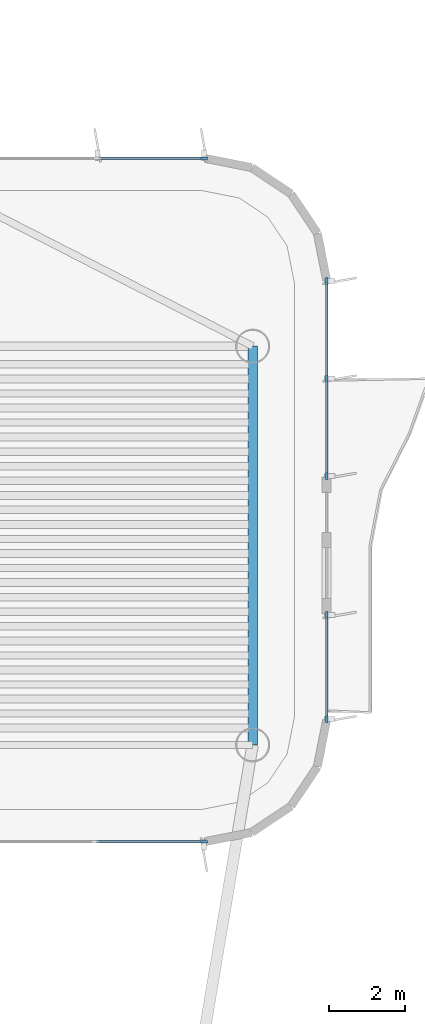
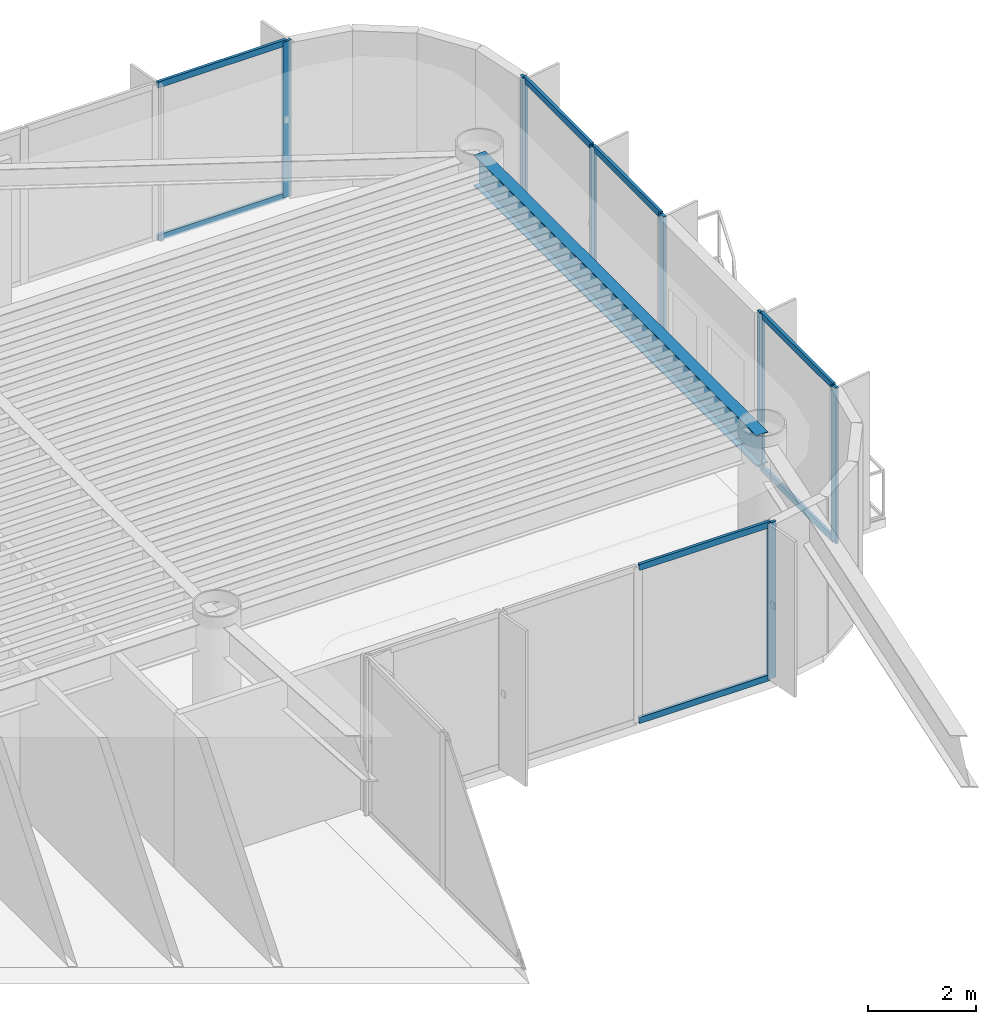
# One storey, part 8 of 14: 17 members, 1 beam, 4 elements without a shape of their own.
"""IFC4 building model written with IfcOpenShell, lengths in metres."""

from ifc_helpers import new_model, si_unit, direction, frame, origin, origin_2d, place, context, subcontext, project, spatial, rectangle, i_section, extrude, source, transform, mapped, material, layer, layer_set, material_profile, profile_set, type_object, element, aggregate, save


model = new_model("IFC4")

# Units and contexts
model_context = context("Model", 3, precision=1e-05, world=origin(), true_north=direction((0.0, 1.0)))
body_context = subcontext(model_context, "Body", "Model", "MODEL_VIEW")
ifc_project = project(units=[si_unit("LENGTHUNIT", "METRE"), si_unit("AREAUNIT", "SQUARE_METRE"), si_unit("VOLUMEUNIT", "CUBIC_METRE"), si_unit("PLANEANGLEUNIT", "RADIAN"), si_unit("MASSUNIT", "GRAM", prefix="KILO")], contexts=[model_context])

# Site, building, storey
site_placement = place(None, origin())
site = spatial("IfcSite", under=ifc_project, at=site_placement, CompositionType="ELEMENT")
building_placement = place(site_placement, origin())
building = spatial("IfcBuilding", under=site, at=building_placement, Name="Brelvock Crest Care Tower", CompositionType="ELEMENT")
storey_placement = place(building_placement, frame((0.0, 0.0, 257.0400390625)))
storey = spatial("IfcBuildingStorey", under=building, at=storey_placement, Name="L65", CompositionType="ELEMENT", Elevation=257.0400390625)

# Beam
ifc_material_1 = material(Name="Steel Grade 350", Category="steel")
ifc_material_profile_1 = material_profile(ifc_material_1, i_section(OverallWidth=0.25, OverallDepth=0.699951171875, WebThickness=0.011962890625, FlangeThickness=0.02001953125, at=origin_2d()), Name="700WB150")
ifc_profile_set_1 = profile_set([ifc_material_profile_1], Name="Steel Grade 350")
beam_type = type_object("IfcBeamType", Name="BM-G4", PredefinedType="BEAM", material=ifc_profile_set_1)
shared_shape_1 = source(origin(), body_context, "Body", "SweptSolid", [
    extrude(i_section(OverallWidth=0.25, OverallDepth=0.699951171875, WebThickness=0.011962890625, FlangeThickness=0.02001953125, at=origin_2d()), origin(), (0.0, 0.0, 1.0), 10.5),
])
beam_placement = place(storey_placement, frame((52.35009765625, 43.949951171875, 3.179931640625), z_axis=(0.0, 1.0, 0.0), x_axis=(-1.0, 0.0, 0.0)))
element("IfcBeam", 1, at=beam_placement, inside=storey, type_object=beam_type, Name="BM-TWR-L65-02", PredefinedType="BEAM", context=body_context, shape_type="MappedRepresentation", body=[
    mapped(shared_shape_1, transform((0.0, 0.0, 0.0), x_axis=(1.0, 0.0, 0.0), y_axis=(0.0, 1.0, 0.0), z_axis=(0.0, 0.0, 1.0), scale=1.0)),
])

# Curtain wall, member
ifc_material_2 = material(Name="Dark Glass Double Glazed Low-E", Category="glass")
ifc_layer = layer(ifc_material_2, 0.239990234375, Name="CWS-5")
ifc_layer_set = layer_set([ifc_layer], Name="Dark Glass Double Glazed Low-E")
curtain_wall_type = type_object("IfcCurtainWallType", Name="CWS-5", PredefinedType="NOTDEFINED", material=ifc_layer_set)
curtain_wall_1_placement = place(storey_placement, origin())
curtain_wall_1 = element("IfcCurtainWall", 2, at=curtain_wall_1_placement, inside=storey, type_object=curtain_wall_type, Name="L65 Curtain Wall E34", PredefinedType="NOTDEFINED")
ifc_material_3 = material(Name="Aluminium 6063-T6", Category="aluminium")
ifc_material_profile_2 = material_profile(ifc_material_3, rectangle(XDim=0.06005859375, YDim=0.179931640625, at=origin_2d()), Name="ALU60x180")
ifc_profile_set_2 = profile_set([ifc_material_profile_2], Name="Aluminium 6063-T6")
member_type_1 = type_object("IfcMemberType", Name="CWM-2", PredefinedType="MULLION", material=ifc_profile_set_2)
shared_shape_2 = source(origin(), body_context, "Body", "SweptSolid", [
    extrude(rectangle(XDim=0.06005859375, YDim=0.179931640625, at=origin_2d()), origin(), (0.0, 0.0, 1.0), 3.530029296875),
])
member_1_placement = place(storey_placement, frame((51.070068359375, 59.39990234375, 0.0), z_axis=(0.0, 0.0, 1.0), x_axis=(0.0, 1.0, 0.0)))
member_1 = element("IfcMember", 3, at=member_1_placement, type_object=member_type_1, Name="CW-5 mullion 4", PredefinedType="MULLION", context=body_context, shape_type="MappedRepresentation", body=[
    mapped(shared_shape_2, transform((0.0, 0.0, 0.0), x_axis=(1.0, 0.0, 0.0), y_axis=(0.0, 1.0, 0.0), z_axis=(0.0, 0.0, 1.0), scale=1.0)),
])

# Curtain wall, members
curtain_wall_2_placement = place(storey_placement, origin())
curtain_wall_2 = element("IfcCurtainWall", 4, at=curtain_wall_2_placement, inside=storey, type_object=curtain_wall_type, Name="L65 Curtain Wall E39A", PredefinedType="NOTDEFINED")
member_2_placement = place(storey_placement, frame((54.300048828125, 56.169921875, 0.0), z_axis=(0.0, 0.0, 1.0), x_axis=(1.0, 0.0, 0.0)))
member_2 = element("IfcMember", 5, at=member_2_placement, type_object=member_type_1, Name="CW-5 mullion 1", PredefinedType="MULLION", context=body_context, shape_type="MappedRepresentation", body=[
    mapped(shared_shape_2, transform((0.0, 0.0, 0.0), x_axis=(1.0, 0.0, 0.0), y_axis=(0.0, 1.0, 0.0), z_axis=(0.0, 0.0, 1.0), scale=1.0)),
])
member_3_placement = place(storey_placement, frame((54.300048828125, 53.60009765625, 0.0), z_axis=(0.0, 0.0, 1.0), x_axis=(1.0, 0.0, 0.0)))
member_3 = element("IfcMember", 6, at=member_3_placement, type_object=member_type_1, Name="CW-5 mullion 2", PredefinedType="MULLION", context=body_context, shape_type="MappedRepresentation", body=[
    mapped(shared_shape_2, transform((0.0, 0.0, 0.0), x_axis=(1.0, 0.0, 0.0), y_axis=(0.0, 1.0, 0.0), z_axis=(0.0, 0.0, 1.0), scale=1.0)),
])
member_4_placement = place(storey_placement, frame((54.300048828125, 51.030029296875, 0.0), z_axis=(0.0, 0.0, 1.0), x_axis=(1.0, 0.0, 0.0)))
member_4 = element("IfcMember", 7, at=member_4_placement, type_object=member_type_1, Name="CW-5 mullion 3", PredefinedType="MULLION", context=body_context, shape_type="MappedRepresentation", body=[
    mapped(shared_shape_2, transform((0.0, 0.0, 0.0), x_axis=(1.0, 0.0, 0.0), y_axis=(0.0, 1.0, 0.0), z_axis=(0.0, 0.0, 1.0), scale=1.0)),
])

curtain_wall_3_placement = place(storey_placement, origin())
curtain_wall_3 = element("IfcCurtainWall", 8, at=curtain_wall_3_placement, inside=storey, type_object=curtain_wall_type, Name="L65 Curtain Wall E39B", PredefinedType="NOTDEFINED")
member_5_placement = place(storey_placement, frame((54.300048828125, 47.3701171875, 0.0), z_axis=(0.0, 0.0, 1.0), x_axis=(1.0, 0.0, 0.0)))
member_5 = element("IfcMember", 9, at=member_5_placement, type_object=member_type_1, Name="CW-5 mullion 1", PredefinedType="MULLION", context=body_context, shape_type="MappedRepresentation", body=[
    mapped(shared_shape_2, transform((0.0, 0.0, 0.0), x_axis=(1.0, 0.0, 0.0), y_axis=(0.0, 1.0, 0.0), z_axis=(0.0, 0.0, 1.0), scale=1.0)),
])
member_6_placement = place(storey_placement, frame((54.300048828125, 44.6298828125, 0.0), z_axis=(0.0, 0.0, 1.0), x_axis=(1.0, 0.0, 0.0)))
member_6 = element("IfcMember", 10, at=member_6_placement, type_object=member_type_1, Name="CW-5 mullion 2", PredefinedType="MULLION", context=body_context, shape_type="MappedRepresentation", body=[
    mapped(shared_shape_2, transform((0.0, 0.0, 0.0), x_axis=(1.0, 0.0, 0.0), y_axis=(0.0, 1.0, 0.0), z_axis=(0.0, 0.0, 1.0), scale=1.0)),
])

# Curtain wall, member
curtain_wall_4_placement = place(storey_placement, origin())
curtain_wall_4 = element("IfcCurtainWall", 11, at=curtain_wall_4_placement, inside=storey, type_object=curtain_wall_type, Name="L65 Curtain Wall E44", PredefinedType="NOTDEFINED")
member_7_placement = place(storey_placement, frame((51.070068359375, 41.39990234375, 0.0), z_axis=(0.0, 0.0, 1.0), x_axis=(0.0, -1.0, 0.0)))
member_7 = element("IfcMember", 12, at=member_7_placement, type_object=member_type_1, Name="CW-5 mullion 1", PredefinedType="MULLION", context=body_context, shape_type="MappedRepresentation", body=[
    mapped(shared_shape_2, transform((0.0, 0.0, 0.0), x_axis=(1.0, 0.0, 0.0), y_axis=(0.0, 1.0, 0.0), z_axis=(0.0, 0.0, 1.0), scale=1.0)),
])

# Member
ifc_material_profile_3 = material_profile(ifc_material_3, rectangle(XDim=0.06005859375, YDim=0.139892578125, at=origin_2d()), Name="ALU60x140")
ifc_profile_set_3 = profile_set([ifc_material_profile_3], Name="Aluminium 6063-T6")
member_type_2 = type_object("IfcMemberType", Name="CWT-2", PredefinedType="USERDEFINED", material=ifc_profile_set_3)
shared_shape_3 = source(origin(), body_context, "Body", "SweptSolid", [
    extrude(rectangle(XDim=0.06005859375, YDim=0.139892578125, at=origin_2d()), origin(), (0.0, 0.0, 1.0), 2.510009765625),
])
member_8_placement = place(storey_placement, frame((54.300048828125, 56.139892578125, 0.030029296875), z_axis=(0.0, -1.0, 0.0), x_axis=(1.0, 0.0, 0.0)))
member_8 = element("IfcMember", 13, at=member_8_placement, type_object=member_type_2, Name="CW-5 transom 1.1", ObjectType="TRANSOM", PredefinedType="USERDEFINED", context=body_context, shape_type="MappedRepresentation", body=[
    mapped(shared_shape_3, transform((0.0, 0.0, 0.0), x_axis=(1.0, 0.0, 0.0), y_axis=(0.0, 1.0, 0.0), z_axis=(0.0, 0.0, 1.0), scale=1.0)),
])

member_9_placement = place(storey_placement, frame((54.300048828125, 56.139892578125, 3.5), z_axis=(0.0, -1.0, 0.0), x_axis=(1.0, 0.0, 0.0)))
member_9 = element("IfcMember", 14, at=member_9_placement, type_object=member_type_2, Name="CW-5 transom 1.2", ObjectType="TRANSOM", PredefinedType="USERDEFINED", context=body_context, shape_type="MappedRepresentation", body=[
    mapped(shared_shape_3, transform((0.0, 0.0, 0.0), x_axis=(1.0, 0.0, 0.0), y_axis=(0.0, 1.0, 0.0), z_axis=(0.0, 0.0, 1.0), scale=1.0)),
])

member_10_placement = place(storey_placement, frame((54.300048828125, 53.570068359375, 0.030029296875), z_axis=(0.0, -1.0, 0.0), x_axis=(1.0, 0.0, 0.0)))
member_10 = element("IfcMember", 15, at=member_10_placement, type_object=member_type_2, Name="CW-5 transom 2.1", ObjectType="TRANSOM", PredefinedType="USERDEFINED", context=body_context, shape_type="MappedRepresentation", body=[
    mapped(shared_shape_3, transform((0.0, 0.0, 0.0), x_axis=(1.0, 0.0, 0.0), y_axis=(0.0, 1.0, 0.0), z_axis=(0.0, 0.0, 1.0), scale=1.0)),
])

member_11_placement = place(storey_placement, frame((54.300048828125, 53.570068359375, 3.5), z_axis=(0.0, -1.0, 0.0), x_axis=(1.0, 0.0, 0.0)))
member_11 = element("IfcMember", 16, at=member_11_placement, type_object=member_type_2, Name="CW-5 transom 2.2", ObjectType="TRANSOM", PredefinedType="USERDEFINED", context=body_context, shape_type="MappedRepresentation", body=[
    mapped(shared_shape_3, transform((0.0, 0.0, 0.0), x_axis=(1.0, 0.0, 0.0), y_axis=(0.0, 1.0, 0.0), z_axis=(0.0, 0.0, 1.0), scale=1.0)),
])

aggregate(curtain_wall_2, [member_2, member_3, member_4, member_8, member_9, member_10, member_11])

shared_shape_4 = source(origin(), body_context, "Body", "SweptSolid", [
    extrude(rectangle(XDim=0.06005859375, YDim=0.139892578125, at=origin_2d()), origin(), (0.0, 0.0, 1.0), 2.81005859375),
])
member_12_placement = place(storey_placement, frame((51.0400390625, 41.39990234375, 0.030029296875), z_axis=(-1.0, 0.0, 0.0), x_axis=(0.0, -1.0, 0.0)))
member_12 = element("IfcMember", 17, at=member_12_placement, type_object=member_type_2, Name="CW-5 transom 1.1", ObjectType="TRANSOM", PredefinedType="USERDEFINED", context=body_context, shape_type="MappedRepresentation", body=[
    mapped(shared_shape_4, transform((0.0, 0.0, 0.0), x_axis=(1.0, 0.0, 0.0), y_axis=(0.0, 1.0, 0.0), z_axis=(0.0, 0.0, 1.0), scale=1.0)),
])

member_13_placement = place(storey_placement, frame((51.0400390625, 41.39990234375, 3.5), z_axis=(-1.0, 0.0, 0.0), x_axis=(0.0, -1.0, 0.0)))
member_13 = element("IfcMember", 18, at=member_13_placement, type_object=member_type_2, Name="CW-5 transom 1.2", ObjectType="TRANSOM", PredefinedType="USERDEFINED", context=body_context, shape_type="MappedRepresentation", body=[
    mapped(shared_shape_4, transform((0.0, 0.0, 0.0), x_axis=(1.0, 0.0, 0.0), y_axis=(0.0, 1.0, 0.0), z_axis=(0.0, 0.0, 1.0), scale=1.0)),
])

aggregate(curtain_wall_4, [member_7, member_12, member_13])

shared_shape_5 = source(origin(), body_context, "Body", "SweptSolid", [
    extrude(rectangle(XDim=0.06005859375, YDim=0.139892578125, at=origin_2d()), origin(), (0.0, 0.0, 1.0), 2.743408203125),
])
member_14_placement = place(storey_placement, frame((48.296630859375, 59.39990234375, 0.030029296875), z_axis=(1.0, 0.0, 0.0), x_axis=(0.0, 1.0, 0.0)))
member_14 = element("IfcMember", 19, at=member_14_placement, type_object=member_type_2, Name="CW-5 transom 3.1", ObjectType="TRANSOM", PredefinedType="USERDEFINED", context=body_context, shape_type="MappedRepresentation", body=[
    mapped(shared_shape_5, transform((0.0, 0.0, 0.0), x_axis=(1.0, 0.0, 0.0), y_axis=(0.0, 1.0, 0.0), z_axis=(0.0, 0.0, 1.0), scale=1.0)),
])

member_15_placement = place(storey_placement, frame((48.296630859375, 59.39990234375, 3.5), z_axis=(1.0, 0.0, 0.0), x_axis=(0.0, 1.0, 0.0)))
member_15 = element("IfcMember", 20, at=member_15_placement, type_object=member_type_2, Name="CW-5 transom 3.2", ObjectType="TRANSOM", PredefinedType="USERDEFINED", context=body_context, shape_type="MappedRepresentation", body=[
    mapped(shared_shape_5, transform((0.0, 0.0, 0.0), x_axis=(1.0, 0.0, 0.0), y_axis=(0.0, 1.0, 0.0), z_axis=(0.0, 0.0, 1.0), scale=1.0)),
])

aggregate(curtain_wall_1, [member_1, member_14, member_15])

shared_shape_6 = source(origin(), body_context, "Body", "SweptSolid", [
    extrude(rectangle(XDim=0.06005859375, YDim=0.139892578125, at=origin_2d()), origin(), (0.0, 0.0, 1.0), 2.68017578125),
])
member_16_placement = place(storey_placement, frame((54.300048828125, 47.340087890625, 0.030029296875), z_axis=(0.0, -1.0, 0.0), x_axis=(1.0, 0.0, 0.0)))
member_16 = element("IfcMember", 21, at=member_16_placement, type_object=member_type_2, Name="CW-5 transom 1.1", ObjectType="TRANSOM", PredefinedType="USERDEFINED", context=body_context, shape_type="MappedRepresentation", body=[
    mapped(shared_shape_6, transform((0.0, 0.0, 0.0), x_axis=(1.0, 0.0, 0.0), y_axis=(0.0, 1.0, 0.0), z_axis=(0.0, 0.0, 1.0), scale=1.0)),
])

member_17_placement = place(storey_placement, frame((54.300048828125, 47.340087890625, 3.5), z_axis=(0.0, -1.0, 0.0), x_axis=(1.0, 0.0, 0.0)))
member_17 = element("IfcMember", 22, at=member_17_placement, type_object=member_type_2, Name="CW-5 transom 1.2", ObjectType="TRANSOM", PredefinedType="USERDEFINED", context=body_context, shape_type="MappedRepresentation", body=[
    mapped(shared_shape_6, transform((0.0, 0.0, 0.0), x_axis=(1.0, 0.0, 0.0), y_axis=(0.0, 1.0, 0.0), z_axis=(0.0, 0.0, 1.0), scale=1.0)),
])

aggregate(curtain_wall_3, [member_5, member_6, member_16, member_17])

save(model, "model.ifc")
